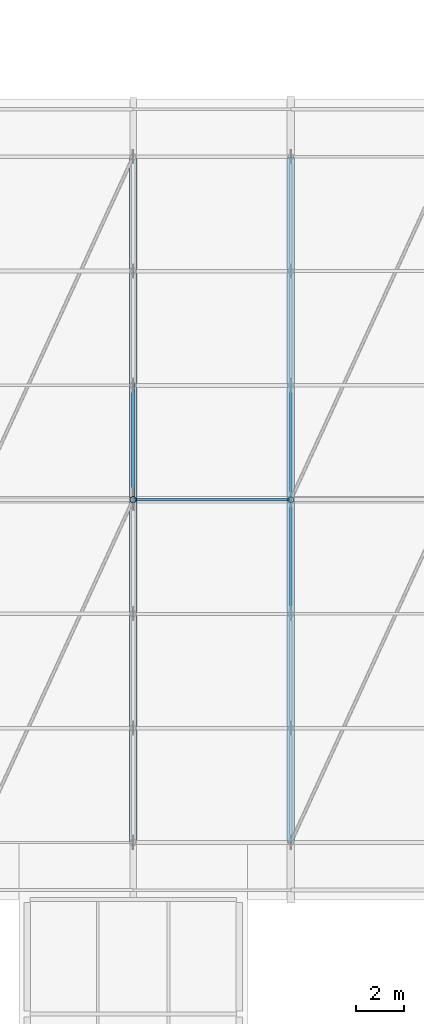
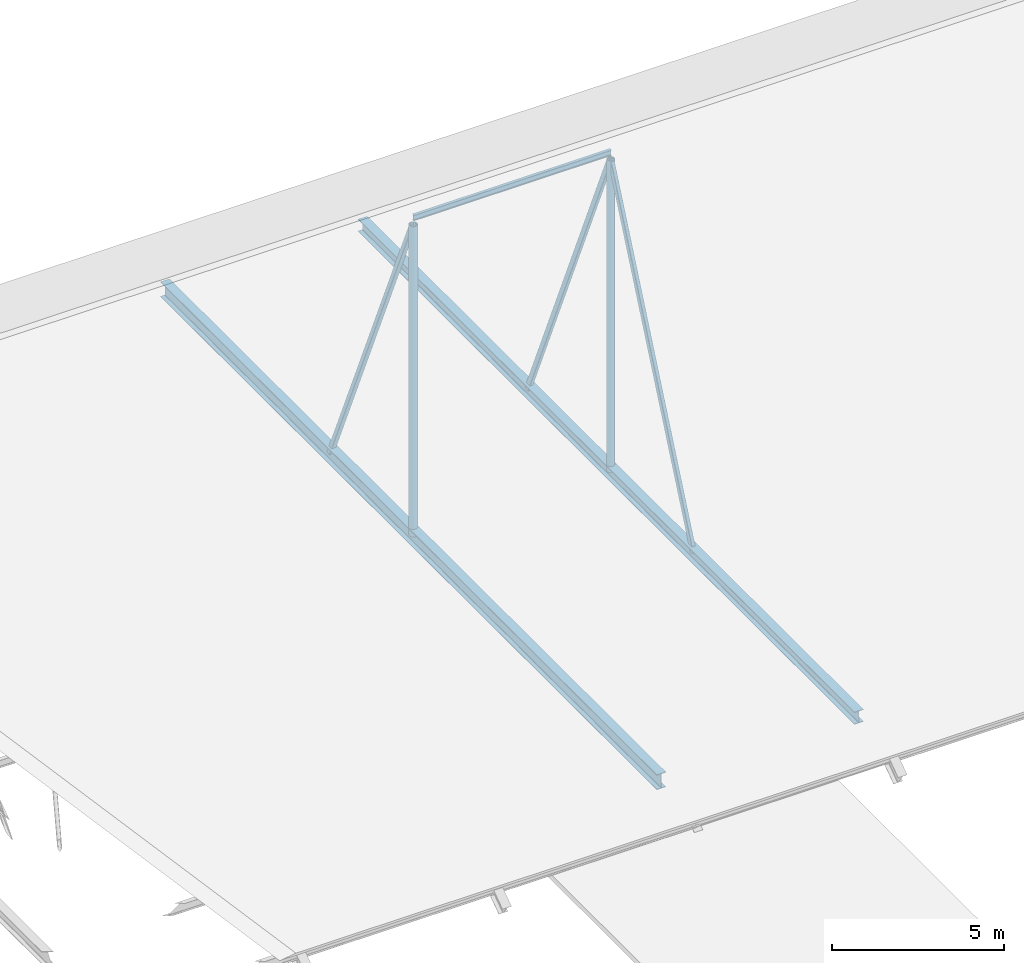
# One storey, part 60 of 134: 8 members.
"""IFC4 building model written with IfcOpenShell, lengths in metres."""

from ifc_helpers import new_model, si_unit, direction, frame, origin, origin_2d, place, context, subcontext, project, spatial, hollow_rectangle, hollow_circle, i_section, extrude, material, material_profile, profile_set, type_object, element, save


model = new_model("IFC4")

# Units and contexts
model_context = context("Model", 3, precision=1e-05, world=origin(), true_north=direction((0.0, 1.0)))
body_context = subcontext(model_context, "Body", "Model", "MODEL_VIEW")
ifc_project = project(units=[si_unit("LENGTHUNIT", "METRE"), si_unit("AREAUNIT", "SQUARE_METRE"), si_unit("VOLUMEUNIT", "CUBIC_METRE"), si_unit("PLANEANGLEUNIT", "RADIAN"), si_unit("MASSUNIT", "GRAM", prefix="KILO")], contexts=[model_context])

# Site, building, storey
site_placement = place(None, origin())
site = spatial("IfcSite", under=ifc_project, at=site_placement, CompositionType="ELEMENT")
building_placement = place(site_placement, origin())
building = spatial("IfcBuilding", under=site, at=building_placement, Name="Asteropetra Specialist Clinic", CompositionType="ELEMENT")
storey_placement = place(building_placement, frame((0.0, 0.0, 8.5)))
storey = spatial("IfcBuildingStorey", under=building, at=storey_placement, Name="L02", CompositionType="ELEMENT", Elevation=8.5)

# Members
ifc_material_1 = material(Name="Steel S355", Category="steel")
ifc_material_profile_1 = material_profile(ifc_material_1, hollow_rectangle(XDim=0.1201171875, YDim=0.199951171875, WallThickness=0.010009765625, InnerFilletRadius=0.008056640625, OuterFilletRadius=0.01611328125, at=origin_2d()), Name="RHS 200x120x10.0")
ifc_profile_set_1 = profile_set([ifc_material_profile_1], Name="Steel S355")
member_type_1 = type_object("IfcMemberType", Name="TR-BRC-RHS200", PredefinedType="BRACE", material=ifc_profile_set_1)
for number, where, z_axis, x_axis, name in (
    (1, (126.6201171875, 86.39990234375, 0.419921875), (0.0, 0.398698675406, 0.917081984465), (-1.0, 0.0, 0.0), "Truss Web Diagonal TRV1-D07-2"),
    (2, (126.6201171875, 91.199951171875, 11.4609375), (0.0, 0.398698675406, -0.917081984465), (-1.0, 0.0, 0.0), "Truss Web Diagonal TRV1-D07-3"),
):
    element("IfcMember", number, at=place(storey_placement, frame(where, z_axis=z_axis, x_axis=x_axis)), inside=storey, type_object=member_type_1, Name=name, PredefinedType="BRACE", context=body_context, shape_type="SweptSolid", body=[
        extrude(hollow_rectangle(XDim=0.1201171875, YDim=0.199951171875, WallThickness=0.010009765625, InnerFilletRadius=0.008056640625, OuterFilletRadius=0.01611328125, at=origin_2d()), origin(), (0.0, 0.0, 1.0), 12.039306640625),
    ])
ifc_material_2 = material(Name="Steel S355", Category="steel")
ifc_material_profile_2 = material_profile(ifc_material_2, hollow_rectangle(XDim=0.159912109375, YDim=0.159912109375, WallThickness=0.008056640625, InnerFilletRadius=0.008056640625, OuterFilletRadius=0.01611328125, at=origin_2d()), Name="SHS 160x160x8.0")
ifc_profile_set_2 = profile_set([ifc_material_profile_2], Name="Steel S355")
member_type_2 = type_object("IfcMemberType", Name="TR-BRC-SHS160", PredefinedType="BRACE", material=ifc_profile_set_2)
member_1_placement = place(storey_placement, frame((120.0, 91.199951171875, 11.4609375), z_axis=(0.0, 0.400223947017, -0.916417367925), x_axis=(-1.0, 0.0, 0.0)))
element("IfcMember", 3, at=member_1_placement, inside=storey, type_object=member_type_2, Name="Truss Web Diagonal TRV1-D06-3", PredefinedType="BRACE", context=body_context, shape_type="SweptSolid", body=[
    extrude(hollow_rectangle(XDim=0.159912109375, YDim=0.159912109375, WallThickness=0.008056640625, InnerFilletRadius=0.008056640625, OuterFilletRadius=0.01611328125, at=origin_2d()), origin(), (0.0, 0.0, 1.0), 11.993408203125),
])
ifc_material_3 = material(Name="Steel S355", Category="steel")
ifc_material_profile_3 = material_profile(ifc_material_3, i_section(OverallWidth=0.300048828125, OverallDepth=0.43994140625, WebThickness=0.011474609375, FlangeThickness=0.02099609375, FilletRadius=0.027099609375, at=origin_2d()), Name="HEA 450")
ifc_profile_set_3 = profile_set([ifc_material_profile_3], Name="Steel S355")
member_type_3 = type_object("IfcMemberType", Name="TR-CHD-HEA450", PredefinedType="CHORD", material=ifc_profile_set_3)
member_2_placement = place(storey_placement, frame((126.6201171875, 76.800048828125, 0.419921875), z_axis=(0.0, 1.0, 0.0), x_axis=(-1.0, 0.0, 0.0)))
element("IfcMember", 4, at=member_2_placement, inside=storey, type_object=member_type_3, Name="Truss Bottom Chord TRV1-BC07", PredefinedType="CHORD", context=body_context, shape_type="SweptSolid", body=[
    extrude(i_section(OverallWidth=0.300048828125, OverallDepth=0.43994140625, WebThickness=0.011474609375, FlangeThickness=0.02099609375, FilletRadius=0.027099609375, at=origin_2d()), origin(), (0.0, 0.0, 1.0), 28.800048828125),
])
ifc_material_4 = material(Name="Steel S355", Category="steel")
ifc_material_profile_4 = material_profile(ifc_material_4, i_section(OverallWidth=0.300048828125, OverallDepth=0.5400390625, WebThickness=0.012451171875, FlangeThickness=0.02392578125, FilletRadius=0.027099609375, at=origin_2d()), Name="HEA 550")
ifc_profile_set_4 = profile_set([ifc_material_profile_4], Name="Steel S355")
member_type_4 = type_object("IfcMemberType", Name="TR-CHD-HEA550", PredefinedType="CHORD", material=ifc_profile_set_4)
member_3_placement = place(storey_placement, frame((120.0, 76.800048828125, 0.469970703125), z_axis=(0.0, 1.0, 0.0), x_axis=(-1.0, 0.0, 0.0)))
element("IfcMember", 5, at=member_3_placement, inside=storey, type_object=member_type_4, Name="Truss Bottom Chord TRV1-BC06", PredefinedType="CHORD", context=body_context, shape_type="SweptSolid", body=[
    extrude(i_section(OverallWidth=0.300048828125, OverallDepth=0.5400390625, WebThickness=0.012451171875, FlangeThickness=0.02392578125, FilletRadius=0.027099609375, at=origin_2d()), origin(), (0.0, 0.0, 1.0), 28.800048828125),
])
ifc_material_5 = material(Name="Steel S355", Category="steel")
ifc_material_profile_5 = material_profile(ifc_material_5, i_section(OverallWidth=0.10009765625, OverallDepth=0.199951171875, WebThickness=0.005615234375, FlangeThickness=0.008544921875, FilletRadius=0.011962890625, at=origin_2d()), Name="IPE 200")
ifc_profile_set_5 = profile_set([ifc_material_profile_5], Name="Steel S355")
member_type_5 = type_object("IfcMemberType", Name="TR-PUR-IPE200", PredefinedType="PURLIN", material=ifc_profile_set_5)
member_4_placement = place(storey_placement, frame((120.0, 91.199951171875, 11.69580078125), z_axis=(1.0, 0.0, 0.0), x_axis=(0.0, 1.0, 0.0)))
element("IfcMember", 6, at=member_4_placement, inside=storey, type_object=member_type_5, Name="Roof Purlin TRV1-P06-05", PredefinedType="PURLIN", context=body_context, shape_type="SweptSolid", body=[
    extrude(i_section(OverallWidth=0.10009765625, OverallDepth=0.199951171875, WebThickness=0.005615234375, FlangeThickness=0.008544921875, FilletRadius=0.011962890625, at=origin_2d()), origin(), (0.0, 0.0, 1.0), 6.6201171875),
])
ifc_material_6 = material(Name="Steel S355", Category="steel")
ifc_material_profile_6 = material_profile(ifc_material_6, hollow_circle(Radius=0.122314453125, WallThickness=0.012451171875, at=origin_2d()), Name="CHS 244.5x12.5")
ifc_profile_set_6 = profile_set([ifc_material_profile_6], Name="Steel S355")
member_type_6 = type_object("IfcMemberType", Name="TR-STR-CHS244", PredefinedType="STRUT", material=ifc_profile_set_6)
member_5_placement = place(storey_placement, frame((126.6201171875, 91.199951171875, 0.419921875), z_axis=(0.0, 0.0, 1.0), x_axis=(1.0, 0.0, 0.0)))
element("IfcMember", 7, at=member_5_placement, inside=storey, type_object=member_type_6, Name="Truss Web Strut TRV1-V07-3", PredefinedType="STRUT", context=body_context, shape_type="SweptSolid", body=[
    extrude(hollow_circle(Radius=0.122314453125, WallThickness=0.012451171875, at=origin_2d()), origin(), (0.0, 0.0, 1.0), 11.041015625),
])
ifc_material_7 = material(Name="Steel S355", Category="steel")
ifc_material_profile_7 = material_profile(ifc_material_7, hollow_circle(Radius=0.136474609375, WallThickness=0.012451171875, at=origin_2d()), Name="CHS 273.0x12.5")
ifc_profile_set_7 = profile_set([ifc_material_profile_7], Name="Steel S355")
member_type_7 = type_object("IfcMemberType", Name="TR-STR-CHS273", PredefinedType="STRUT", material=ifc_profile_set_7)
member_6_placement = place(storey_placement, frame((120.0, 91.199951171875, 0.469970703125), z_axis=(0.0, 0.0, 1.0), x_axis=(1.0, 0.0, 0.0)))
element("IfcMember", 8, at=member_6_placement, inside=storey, type_object=member_type_7, Name="Truss Web Strut TRV1-V06-3", PredefinedType="STRUT", context=body_context, shape_type="SweptSolid", body=[
    extrude(hollow_circle(Radius=0.136474609375, WallThickness=0.012451171875, at=origin_2d()), origin(), (0.0, 0.0, 1.0), 10.990966796875),
])

save(model, "model.ifc")
